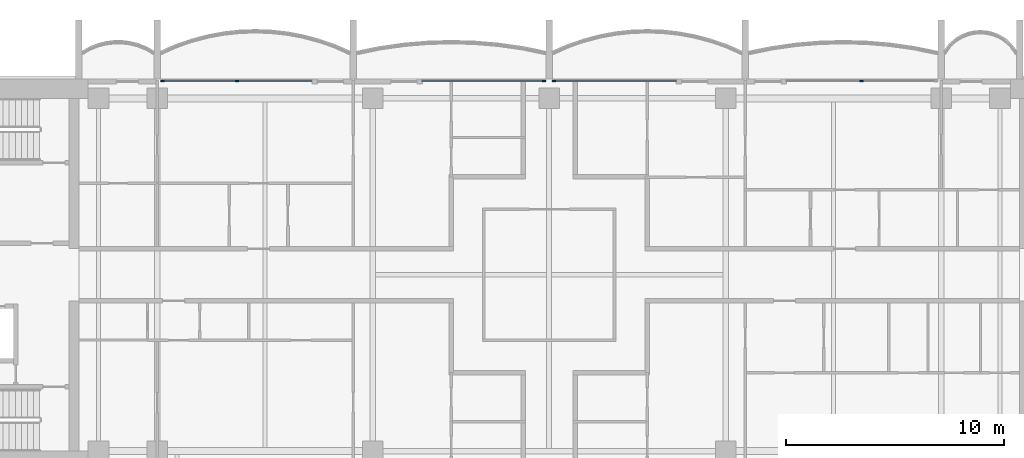
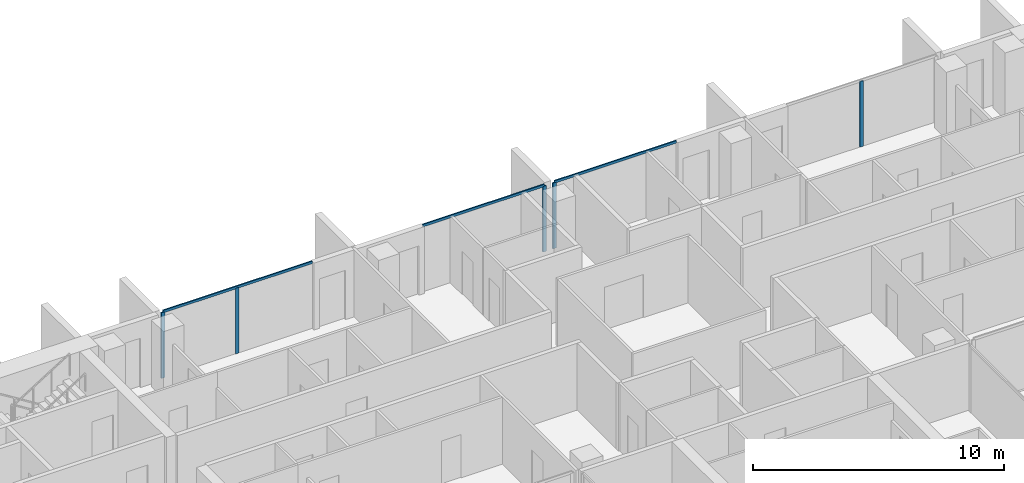
# One storey, part 5 of 18: 8 members, 4 elements without a shape of their own.
"""IFC4 building model written with IfcOpenShell, lengths in metres."""

from ifc_helpers import new_model, si_unit, direction, frame, origin, origin_2d, place, context, subcontext, project, spatial, rectangle, extrude, material, material_profile, profile_set, type_object, element, aggregate, save


model = new_model("IFC4")

# Units and contexts
model_context = context("Model", 3, precision=1e-05, world=origin(), true_north=direction((0.0, 1.0)))
body_context = subcontext(model_context, "Body", "Model", "MODEL_VIEW")
ifc_project = project(units=[si_unit("LENGTHUNIT", "METRE"), si_unit("AREAUNIT", "SQUARE_METRE"), si_unit("VOLUMEUNIT", "CUBIC_METRE"), si_unit("PLANEANGLEUNIT", "RADIAN"), si_unit("MASSUNIT", "GRAM", prefix="KILO")], contexts=[model_context])

# Site, building, storey
site_placement = place(None, origin())
site = spatial("IfcSite", under=ifc_project, at=site_placement, CompositionType="ELEMENT")
building_placement = place(site_placement, origin())
building = spatial("IfcBuilding", under=site, at=building_placement, Name="Perihelion Cross Residences", CompositionType="ELEMENT")
storey_placement = place(building_placement, frame((0.0, 0.0, 177.10009765625)))
storey = spatial("IfcBuildingStorey", under=building, at=storey_placement, Name="L43", CompositionType="ELEMENT", Elevation=177.10009765625)

# Curtain wall, member
ifc_material_1 = material(Name="Bronze anodised aluminium, tinted glazing", Category="aluminium")
curtain_wall_type = type_object("IfcCurtainWallType", Name="CW1", PredefinedType="NOTDEFINED", material=ifc_material_1)
curtain_wall_1_placement = place(storey_placement, origin())
curtain_wall_1 = element("IfcCurtainWall", 1, at=curtain_wall_1_placement, inside=storey, type_object=curtain_wall_type, Name="Curtain wall CW1 L43 east side north bay 2", PredefinedType="NOTDEFINED")
ifc_material_2 = material(Name="Bronze anodised aluminium", Category="aluminium")
ifc_material_profile_1 = material_profile(ifc_material_2, rectangle(XDim=0.06005859375, YDim=0.159912109375, at=origin_2d()), Name="CW1 mullion")
ifc_profile_set_1 = profile_set([ifc_material_profile_1], Name="Bronze anodised aluminium")
member_type_1 = type_object("IfcMemberType", Name="CW1 mullion", PredefinedType="MULLION", material=ifc_profile_set_1)
member_1_placement = place(storey_placement, frame((14.35009765625, 8.89990234375, 0.0), z_axis=(0.0, 0.0, 1.0), x_axis=(0.0, -1.0, 0.0)))
member_1 = element("IfcMember", 2, at=member_1_placement, type_object=member_type_1, Name="CW1 mullion 2", PredefinedType="MULLION", context=body_context, shape_type="SweptSolid", body=[
    extrude(rectangle(XDim=0.06005859375, YDim=0.159912109375, at=origin_2d()), origin(), (0.0, 0.0, 1.0), 3.18994140625),
])
aggregate(curtain_wall_1, [member_1])

curtain_wall_2_placement = place(storey_placement, origin())
curtain_wall_2 = element("IfcCurtainWall", 3, at=curtain_wall_2_placement, inside=storey, type_object=curtain_wall_type, Name="Curtain wall CW1 L43 north side east bay 1", PredefinedType="NOTDEFINED")
member_2_placement = place(storey_placement, frame((0.22998046875, 8.89990234375, 0.0), z_axis=(0.0, 0.0, 1.0), x_axis=(0.0, -1.0, 0.0)))
member_2 = element("IfcMember", 4, at=member_2_placement, type_object=member_type_1, Name="CW1 mullion 2", PredefinedType="MULLION", context=body_context, shape_type="SweptSolid", body=[
    extrude(rectangle(XDim=0.06005859375, YDim=0.159912109375, at=origin_2d()), origin(), (0.0, 0.0, 1.0), 3.18994140625),
])

curtain_wall_3_placement = place(storey_placement, origin())
curtain_wall_3 = element("IfcCurtainWall", 5, at=curtain_wall_3_placement, inside=storey, type_object=curtain_wall_type, Name="Curtain wall CW1 L43 north side east bay 2", PredefinedType="NOTDEFINED")
member_3_placement = place(storey_placement, frame((-0.22998046875, 8.89990234375, 0.0), z_axis=(0.0, 0.0, 1.0), x_axis=(0.0, -1.0, 0.0)))
member_3 = element("IfcMember", 6, at=member_3_placement, type_object=member_type_1, Name="CW1 mullion 1", PredefinedType="MULLION", context=body_context, shape_type="SweptSolid", body=[
    extrude(rectangle(XDim=0.06005859375, YDim=0.159912109375, at=origin_2d()), origin(), (0.0, 0.0, 1.0), 3.18994140625),
])

# Curtain wall, members
curtain_wall_4_placement = place(storey_placement, origin())
curtain_wall_4 = element("IfcCurtainWall", 7, at=curtain_wall_4_placement, inside=storey, type_object=curtain_wall_type, Name="Curtain wall CW1 L43 west side north bay 1", PredefinedType="NOTDEFINED")
member_4_placement = place(storey_placement, frame((-14.35009765625, 8.89990234375, 0.0), z_axis=(0.0, 0.0, 1.0), x_axis=(0.0, -1.0, 0.0)))
member_4 = element("IfcMember", 8, at=member_4_placement, type_object=member_type_1, Name="CW1 mullion 2", PredefinedType="MULLION", context=body_context, shape_type="SweptSolid", body=[
    extrude(rectangle(XDim=0.06005859375, YDim=0.159912109375, at=origin_2d()), origin(), (0.0, 0.0, 1.0), 3.18994140625),
])
member_5_placement = place(storey_placement, frame((-17.77001953125, 8.89990234375, 0.0), z_axis=(0.0, 0.0, 1.0), x_axis=(0.0, -1.0, 0.0)))
member_5 = element("IfcMember", 9, at=member_5_placement, type_object=member_type_1, Name="CW1 mullion 3", PredefinedType="MULLION", context=body_context, shape_type="SweptSolid", body=[
    extrude(rectangle(XDim=0.06005859375, YDim=0.159912109375, at=origin_2d()), origin(), (0.0, 0.0, 1.0), 3.18994140625),
])

# Member
ifc_material_3 = material(Name="Bronze anodised aluminium", Category="aluminium")
ifc_material_profile_2 = material_profile(ifc_material_3, rectangle(XDim=0.06005859375, YDim=0.1201171875, at=origin_2d()), Name="CW1 transom")
ifc_profile_set_2 = profile_set([ifc_material_profile_2], Name="Bronze anodised aluminium")
member_type_2 = type_object("IfcMemberType", Name="CW1 transom", PredefinedType="USERDEFINED", material=ifc_profile_set_2)
member_6_placement = place(storey_placement, frame((5.824951171875, 8.89990234375, 3.219970703125), z_axis=(-1.0, 0.0, 0.0), x_axis=(0.0, -1.0, 0.0)))
member_6 = element("IfcMember", 10, at=member_6_placement, type_object=member_type_2, Name="CW1 head transom", ObjectType="TRANSOM", PredefinedType="USERDEFINED", context=body_context, shape_type="SweptSolid", body=[
    extrude(rectangle(XDim=0.06005859375, YDim=0.1201171875, at=origin_2d()), origin(), (0.0, 0.0, 1.0), 5.594970703125),
])

aggregate(curtain_wall_2, [member_2, member_6])

member_7_placement = place(storey_placement, frame((-0.22998046875, 8.89990234375, 3.219970703125), z_axis=(-1.0, 0.0, 0.0), x_axis=(0.0, -1.0, 0.0)))
member_7 = element("IfcMember", 11, at=member_7_placement, type_object=member_type_2, Name="CW1 head transom", ObjectType="TRANSOM", PredefinedType="USERDEFINED", context=body_context, shape_type="SweptSolid", body=[
    extrude(rectangle(XDim=0.06005859375, YDim=0.1201171875, at=origin_2d()), origin(), (0.0, 0.0, 1.0), 5.594970703125),
])

aggregate(curtain_wall_3, [member_3, member_7])

member_8_placement = place(storey_placement, frame((-10.89990234375, 8.89990234375, 3.219970703125), z_axis=(-1.0, 0.0, 0.0), x_axis=(0.0, -1.0, 0.0)))
member_8 = element("IfcMember", 12, at=member_8_placement, type_object=member_type_2, Name="CW1 head transom", ObjectType="TRANSOM", PredefinedType="USERDEFINED", context=body_context, shape_type="SweptSolid", body=[
    extrude(rectangle(XDim=0.06005859375, YDim=0.1201171875, at=origin_2d()), origin(), (0.0, 0.0, 1.0), 6.8701171875),
])

aggregate(curtain_wall_4, [member_4, member_5, member_8])

save(model, "model.ifc")
